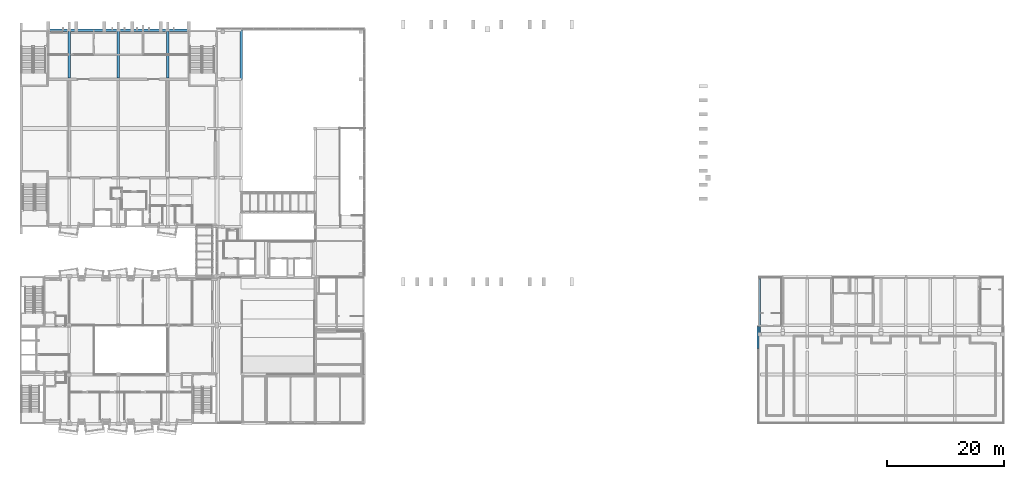
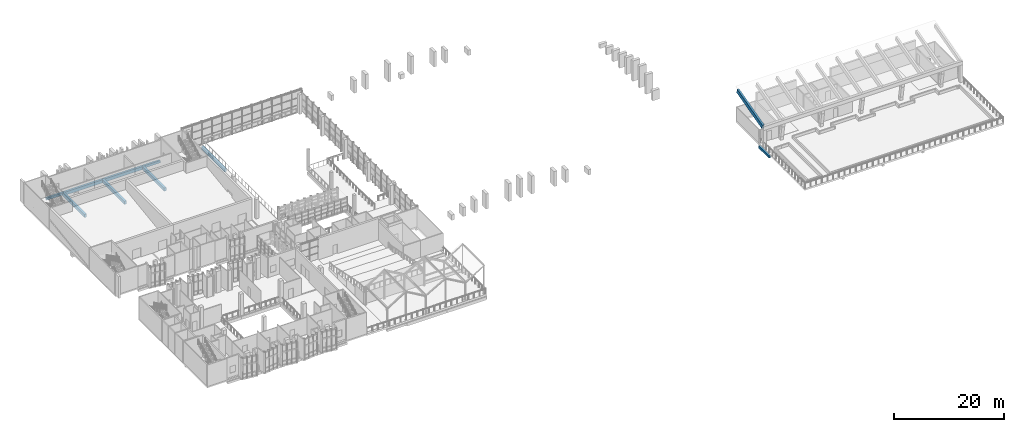
# One storey, part 23 of 67: 10 beams.
"""IFC4 building model written with IfcOpenShell, lengths in metres."""

import ifcopenshell
import ifcopenshell.guid

model = None  # the IFC model being written
_history = None  # IfcOwnerHistory: only IFC2X3 demands one
_inside = {}  # id of a spatial element -> (the spatial element, [elements in it])
_under = {}  # id of a project, library or spatial element -> (it, [spatial elements below it])
_declared = {}  # id of a project -> (the project, [libraries it declares])
_typed = {}  # id of a type object -> (the type object, [elements of that type])
_made_of = {}  # id of a material, layer set ... -> (it, [elements and type objects made of it])


def new_model(schema):
    """Start an empty IFC model of exactly this schema.

    Asked for "IFC4X3", IfcOpenShell would pick the latest addendum, in which some entities
    have other attributes; the version numbers below select the first issue.
    IFC2X3 requires an IfcOwnerHistory on every rooted entity: one is made here for all.
    """
    global model, _history
    if schema == "IFC4X3":
        model = ifcopenshell.file(schema_version=(4, 3, 0, 0))
    else:
        model = ifcopenshell.file(schema=schema)
    _inside.clear()
    _under.clear()
    _declared.clear()
    _typed.clear()
    _made_of.clear()
    _history = None
    if model.schema == "IFC2X3":
        org = make("IfcOrganization", Name="unknown")
        user = make(
            "IfcPersonAndOrganization",
            ThePerson=make("IfcPerson", FamilyName="unknown"),
            TheOrganization=org,
        )
        app = make(
            "IfcApplication",
            ApplicationDeveloper=org,
            Version="unknown",
            ApplicationFullName="unknown",
            ApplicationIdentifier="unknown",
        )
        _history = make(
            "IfcOwnerHistory",
            OwningUser=user,
            OwningApplication=app,
            ChangeAction="ADDED",
            CreationDate=0,
        )
    return model


def make(cls, **values):
    """One entity of the class cls with the attributes given. An attribute that is None is left unset."""
    return model.create_entity(
        cls, **{name: value for name, value in values.items() if value is not None}
    )


def rooted(cls, **values):
    """An entity with a GlobalId (a new one), such as an element, a storey or a relation."""
    return make(cls, GlobalId=ifcopenshell.guid.new(), OwnerHistory=_history, **values)


def si_unit(unit_type, name, prefix=None):
    """IfcSIUnit, for example si_unit("LENGTHUNIT", "METRE", prefix="MILLI")."""
    return make("IfcSIUnit", UnitType=unit_type, Prefix=prefix, Name=name)


def assignment(units):
    """IfcUnitAssignment: the units of a project."""
    return None if units is None else make("IfcUnitAssignment", Units=units)


def point(xyz):
    """IfcCartesianPoint."""
    return None if xyz is None else make("IfcCartesianPoint", Coordinates=xyz)


def direction(xyz):
    """IfcDirection."""
    return None if xyz is None else make("IfcDirection", DirectionRatios=xyz)


def frame(location, z_axis=None, x_axis=None):
    """IfcAxis2Placement3D, a coordinate frame: its origin and axes. An axis left out is left unset."""
    return make(
        "IfcAxis2Placement3D",
        Location=point(location),
        Axis=direction(z_axis),
        RefDirection=direction(x_axis),
    )


def frame_2d(location, x_axis=None):
    """IfcAxis2Placement2D, a coordinate frame in the plane: its origin and x axis."""
    return make(
        "IfcAxis2Placement2D", Location=point(location), RefDirection=direction(x_axis)
    )


def origin():
    """The frame at (0, 0, 0) with its axes left unset."""
    return frame((0.0, 0.0, 0.0))


def origin_2d():
    """The frame at (0, 0) in the plane with its x axis left unset."""
    return frame_2d((0.0, 0.0))


def place(relative_to, where):
    """IfcLocalPlacement: puts the frame where relative to a parent placement (None: the world)."""
    return make(
        "IfcLocalPlacement", PlacementRelTo=relative_to, RelativePlacement=where
    )


def context(
    kind, dimensions, precision=None, world=None, true_north=None, identifier=None
):
    """IfcGeometricRepresentationContext, for example the 3D "Model" context."""
    return make(
        "IfcGeometricRepresentationContext",
        ContextIdentifier=identifier,
        ContextType=kind,
        CoordinateSpaceDimension=dimensions,
        Precision=precision,
        WorldCoordinateSystem=world,
        TrueNorth=true_north,
    )


def subcontext(parent, identifier, kind, view, scale=None):
    """IfcGeometricRepresentationSubContext, for example "Body" below "Model"."""
    return make(
        "IfcGeometricRepresentationSubContext",
        ContextIdentifier=identifier,
        ContextType=kind,
        ParentContext=parent,
        TargetScale=scale,
        TargetView=view,
    )


def project(units=None, contexts=None):
    """IfcProject with its units and contexts."""
    return rooted(
        "IfcProject",
        Name="project",
        RepresentationContexts=contexts,
        UnitsInContext=assignment(units),
    )


def spatial(cls, under=None, at=None, **own):
    """A site, building, storey or space (cls), placed at a placement, below another one or the project."""
    s = rooted(cls, ObjectPlacement=at, **own)
    if under is not None:
        _under.setdefault(under.id(), (under, []))[1].append(s)
    return s


def profile(cls, at=None, kind="AREA", **sizes):
    """A parametric profile (cls). Its sizes go by their IFC names, for example OverallWidth=200.0."""
    return make(cls, ProfileType=kind, Position=at, **sizes)


def rectangle(**sizes):
    """IfcRectangleProfileDef."""
    return profile("IfcRectangleProfileDef", **sizes)


def extrude(swept, where, along, depth):
    """IfcExtrudedAreaSolid: the profile swept, set in the frame where, extruded along a direction by depth."""
    return make(
        "IfcExtrudedAreaSolid",
        SweptArea=swept,
        Position=where,
        ExtrudedDirection=direction(along),
        Depth=depth,
    )


def shape(context_of_items, identifier, shape_type, items):
    """IfcShapeRepresentation: the items that make up one representation, for example the "Body"."""
    return make(
        "IfcShapeRepresentation",
        ContextOfItems=context_of_items,
        RepresentationIdentifier=identifier,
        RepresentationType=shape_type,
        Items=items,
    )


def material(Name=None, Category=None):
    """IfcMaterial."""
    return make("IfcMaterial", Name=Name, Category=Category)


def material_profile(
    of_material, cross_section, Name=None, Category=None, Priority=None
):
    """IfcMaterialProfile: a cross section and its material."""
    return make(
        "IfcMaterialProfile",
        Name=Name,
        Material=of_material,
        Profile=cross_section,
        Priority=Priority,
        Category=Category,
    )


def profile_set(profiles, Name=None, composite=None):
    """IfcMaterialProfileSet."""
    return make(
        "IfcMaterialProfileSet",
        Name=Name,
        MaterialProfiles=profiles,
        CompositeProfile=composite,
    )


def made_of(thing, what):
    """Note that an element or type object is made of a material, layer set ...; save() writes the relation."""
    if what is not None:
        _made_of.setdefault(what.id(), (what, []))[1].append(thing)
    return thing


def type_object(cls, material=None, **own):
    """A type object (cls), such as IfcWallType, which elements share."""
    return made_of(rooted(cls, **own), material)


def element(
    cls,
    number,
    at=None,
    inside=None,
    cuts=None,
    type_object=None,
    material=None,
    context=None,
    identifier="Body",
    shape_type=None,
    held_by="IfcProductDefinitionShape",
    body=None,
    shapes=None,
    **own,
):
    """One element of the class cls, such as IfcWall. Its Tag is "e" and its number.

    at: its placement. inside: the storey or other place that contains it. cuts: it is an
    opening in that element (IfcRelVoidsElement). A single representation is given by context,
    identifier, shape_type and body (its items); several are given by shapes. held_by: the class
    of the entity that holds the representations. save() writes the other relations.
    """
    e = rooted(cls, Tag="e%d" % number, ObjectPlacement=at, **own)
    if body is not None:
        shapes = [shape(context, identifier, shape_type, body)]
    if shapes is not None:
        e.Representation = make(held_by, Representations=shapes)
    if inside is not None:
        _inside.setdefault(inside.id(), (inside, []))[1].append(e)
    if cuts is not None:
        rooted(
            "IfcRelVoidsElement", RelatingBuildingElement=cuts, RelatedOpeningElement=e
        )
    if type_object is not None:
        _typed.setdefault(type_object.id(), (type_object, []))[1].append(e)
    return made_of(e, material)


def aggregate(whole, parts):
    """IfcRelAggregates: a whole, such as a stair, and the parts it consists of."""
    return rooted("IfcRelAggregates", RelatingObject=whole, RelatedObjects=parts)


def save(model, path):
    """Write the relations noted so far, then the file.

    IfcRelAggregates (storeys below a building ...), IfcRelContainedInSpatialStructure (elements
    in a storey), IfcRelDefinesByType, IfcRelAssociatesMaterial and IfcRelDeclares: one each for
    every whole, place, type object, material and project.
    """
    for whole, parts in _under.values():
        aggregate(whole, parts)
    for where, things in _inside.values():
        rooted(
            "IfcRelContainedInSpatialStructure",
            RelatedElements=things,
            RelatingStructure=where,
        )
    for kind, things in _typed.values():
        rooted("IfcRelDefinesByType", RelatedObjects=things, RelatingType=kind)
    for what, things in _made_of.values():
        rooted("IfcRelAssociatesMaterial", RelatedObjects=things, RelatingMaterial=what)
    for by, libraries in _declared.values():
        rooted("IfcRelDeclares", RelatingContext=by, RelatedDefinitions=libraries)
    model.write(path)


model = new_model("IFC4")

# Units and contexts
model_context = context("Model", 3, precision=1e-05, world=origin(), true_north=direction((0.0, 1.0)))
body_context = subcontext(model_context, "Body", "Model", "MODEL_VIEW")
ifc_project = project(units=[si_unit("LENGTHUNIT", "METRE"), si_unit("AREAUNIT", "SQUARE_METRE"), si_unit("VOLUMEUNIT", "CUBIC_METRE"), si_unit("PLANEANGLEUNIT", "RADIAN"), si_unit("MASSUNIT", "GRAM", prefix="KILO")], contexts=[model_context])

# Site, building, storey
site_placement = place(None, origin())
site = spatial("IfcSite", under=ifc_project, at=site_placement, CompositionType="ELEMENT")
building_placement = place(site_placement, origin())
building = spatial("IfcBuilding", under=site, at=building_placement, Name="Kiln Court Media Centre", CompositionType="ELEMENT")
storey_placement = place(building_placement, frame((0.0, 0.0, 19.800048828125)))
storey = spatial("IfcBuildingStorey", under=building, at=storey_placement, Name="L04", CompositionType="ELEMENT", Elevation=19.800048828125)

# Beams
ifc_material_1 = material(Name="Concrete C30/37", Category="concrete")
ifc_material_profile_1 = material_profile(ifc_material_1, rectangle(XDim=0.39990234375, YDim=0.5, at=origin_2d()), Name="RC 400x500")
ifc_profile_set_1 = profile_set([ifc_material_profile_1], Name="Concrete C30/37")
beam_type_1 = type_object("IfcBeamType", Name="Concrete C30/37 beam 400x500", PredefinedType="BEAM", material=ifc_profile_set_1)
beam_1_placement = place(storey_placement, frame((4.800048828125, 67.199951171875, -0.550048828125), z_axis=(1.0, 0.0, 0.0), x_axis=(0.0, 1.0, 0.0)))
element("IfcBeam", 1, at=beam_1_placement, inside=storey, type_object=beam_type_1, Name="L04-B-1079", PredefinedType="BEAM", context=body_context, shape_type="SweptSolid", body=[
    extrude(rectangle(XDim=0.39990234375, YDim=0.5, at=origin_2d()), origin(), (0.0, 0.0, 1.0), 3.599853515625),
])
beam_2_placement = place(storey_placement, frame((25.199951171875, 67.199951171875, -0.550048828125), z_axis=(1.0, 0.0, 0.0), x_axis=(0.0, 1.0, 0.0)))
element("IfcBeam", 2, at=beam_2_placement, inside=storey, type_object=beam_type_1, Name="L04-B-1082", PredefinedType="BEAM", context=body_context, shape_type="SweptSolid", body=[
    extrude(rectangle(XDim=0.39990234375, YDim=0.5, at=origin_2d()), origin(), (0.0, 0.0, 1.0), 3.60009765625),
])
beam_3_placement = place(storey_placement, frame((126.0, 12.800048828125, -0.650146484375), z_axis=(0.0, 1.0, 0.0), x_axis=(-1.0, 0.0, 0.0)))
element("IfcBeam", 3, at=beam_3_placement, inside=storey, type_object=beam_type_1, Name="L04-B-1116", PredefinedType="BEAM", context=body_context, shape_type="SweptSolid", body=[
    extrude(rectangle(XDim=0.39990234375, YDim=0.5, at=origin_2d()), origin(), (0.0, 0.0, 1.0), 3.800048828125),
])
ifc_material_2 = material(Name="Concrete C30/37", Category="concrete")
ifc_material_profile_2 = material_profile(ifc_material_2, rectangle(XDim=0.39990234375, YDim=0.89990234375, at=origin_2d()), Name="RC 400x900")
ifc_profile_set_2 = profile_set([ifc_material_profile_2], Name="Concrete C30/37")
beam_type_2 = type_object("IfcBeamType", Name="Concrete C30/37 beam 400x900", PredefinedType="BEAM", material=ifc_profile_set_2)
beam_4_placement = place(storey_placement, frame((126.199951171875, 15.580078125, 4.294677734375), z_axis=(0.0, 0.96591991193, 0.258841116781), x_axis=(-1.0, 0.0, 0.0)))
element("IfcBeam", 4, at=beam_4_placement, inside=storey, type_object=beam_type_2, Name="L04-B-1001", PredefinedType="BEAM", context=body_context, shape_type="SweptSolid", body=[
    extrude(rectangle(XDim=0.39990234375, YDim=0.89990234375, at=origin_2d()), origin(), (0.0, 0.0, 1.0), 9.56591796875),
])
ifc_material_3 = material(Name="Concrete C30/37", Category="concrete")
ifc_material_profile_3 = material_profile(ifc_material_3, rectangle(XDim=0.449951171875, YDim=0.699951171875, at=origin_2d()), Name="RC 450x700")
ifc_profile_set_3 = profile_set([ifc_material_profile_3], Name="Concrete C30/37")
beam_type_3 = type_object("IfcBeamType", Name="Concrete C30/37 beam 450x700", PredefinedType="BEAM", material=ifc_profile_set_3)
for number, where, z_axis, x_axis, name in (
    (5, (8.39990234375, 59.0, -0.650146484375), (0.0, 1.0, 0.0), (-1.0, 0.0, 0.0), "L04-B-1061"),
    (6, (16.800048828125, 59.0, -0.650146484375), (0.0, 1.0, 0.0), (-1.0, 0.0, 0.0), "L04-B-1063"),
    (7, (25.199951171875, 59.0, -0.650146484375), (0.0, 1.0, 0.0), (-1.0, 0.0, 0.0), "L04-B-1066"),
):
    element("IfcBeam", number, at=place(storey_placement, frame(where, z_axis=z_axis, x_axis=x_axis)), inside=storey, type_object=beam_type_3, Name=name, PredefinedType="BEAM", context=body_context, shape_type="SweptSolid", body=[
        extrude(rectangle(XDim=0.449951171875, YDim=0.699951171875, at=origin_2d()), origin(), (0.0, 0.0, 1.0), 8.199951171875),
    ])
beam_5_placement = place(storey_placement, frame((8.39990234375, 67.199951171875, -0.650146484375), z_axis=(1.0, 0.0, 0.0), x_axis=(0.0, 1.0, 0.0)))
element("IfcBeam", 8, at=beam_5_placement, inside=storey, type_object=beam_type_3, Name="L04-B-1080", PredefinedType="BEAM", context=body_context, shape_type="SweptSolid", body=[
    extrude(rectangle(XDim=0.449951171875, YDim=0.699951171875, at=origin_2d()), origin(), (0.0, 0.0, 1.0), 8.400146484375),
])
for number, where, z_axis, x_axis, name in (
    (9, (16.800048828125, 67.199951171875, -0.650146484375), (1.0, 0.0, 0.0), (0.0, 1.0, 0.0), "L04-B-1081"),
    (10, (37.800048828125, 67.199951171875, -0.650146484375), (0.0, -1.0, 0.0), (1.0, 0.0, 0.0), "L04-B-1108"),
):
    element("IfcBeam", number, at=place(storey_placement, frame(where, z_axis=z_axis, x_axis=x_axis)), inside=storey, type_object=beam_type_3, Name=name, PredefinedType="BEAM", context=body_context, shape_type="SweptSolid", body=[
        extrude(rectangle(XDim=0.449951171875, YDim=0.699951171875, at=origin_2d()), origin(), (0.0, 0.0, 1.0), 8.39990234375),
    ])

save(model, "model.ifc")
